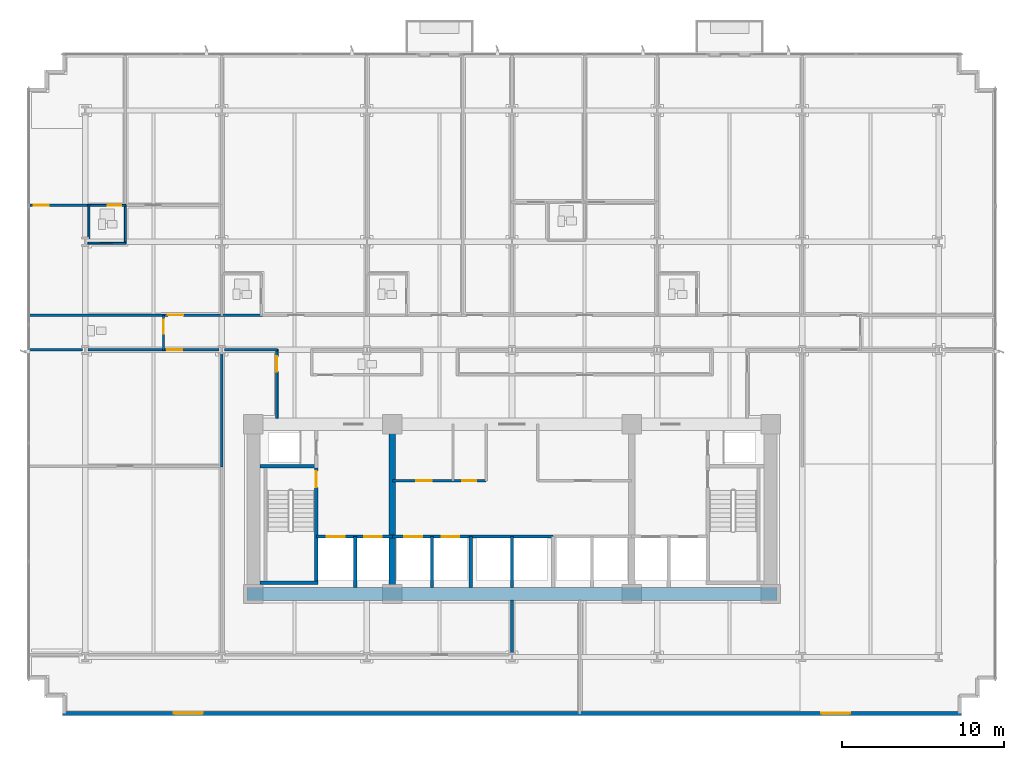
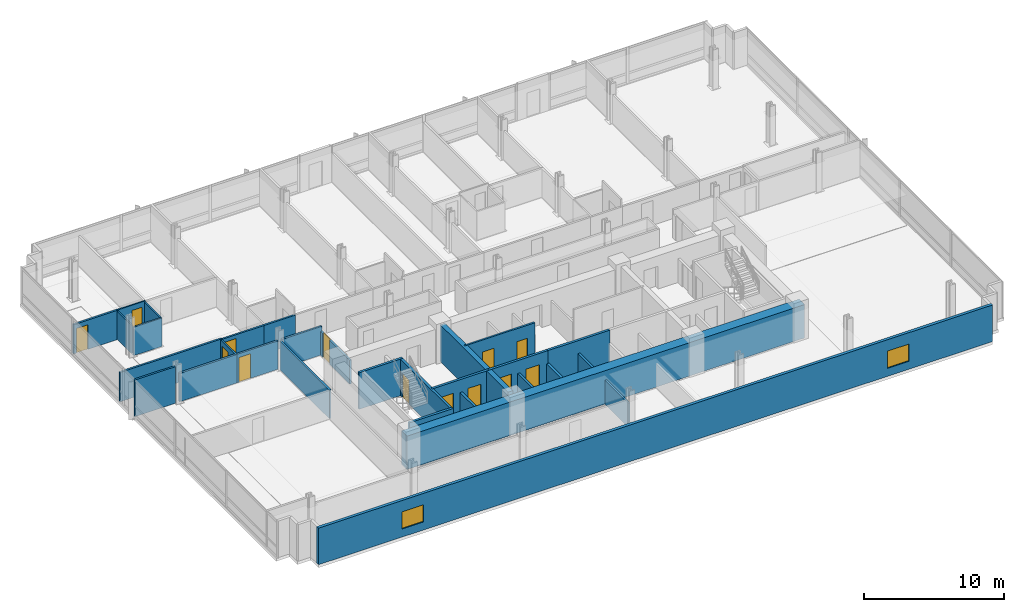
# One storey, part 8 of 16: 30 walls, 13 doors, 2 windows, 15 openings.
"""IFC4 building model written with IfcOpenShell, lengths in metres."""

from ifc_helpers import new_model, si_unit, direction, frame, frame_2d, origin, place, context, subcontext, project, spatial, rectangle, extrude, material, layer, layer_set, type_object, element, fill, save


model = new_model("IFC4")

# Units and contexts
model_context = context("Model", 3, precision=1e-05, world=origin(), true_north=direction((0.0, 1.0)))
body_context = subcontext(model_context, "Body", "Model", "MODEL_VIEW")
ifc_project = project(units=[si_unit("LENGTHUNIT", "METRE"), si_unit("AREAUNIT", "SQUARE_METRE"), si_unit("VOLUMEUNIT", "CUBIC_METRE"), si_unit("PLANEANGLEUNIT", "RADIAN"), si_unit("MASSUNIT", "GRAM", prefix="KILO")], contexts=[model_context])

# Site, building, storey
site_placement = place(None, origin())
site = spatial("IfcSite", under=ifc_project, at=site_placement, CompositionType="ELEMENT")
building_placement = place(site_placement, origin())
building = spatial("IfcBuilding", under=site, at=building_placement, Name="Solmavex Isthmus Hotel", CompositionType="ELEMENT")
storey_placement = place(building_placement, frame((0.0, 0.0, 29.85009765625)))
storey = spatial("IfcBuildingStorey", under=building, at=storey_placement, Name="L07", CompositionType="ELEMENT", Elevation=29.85009765625)

# Wall, openings, windows
ifc_material_1 = material(Name="Precast Concrete C40/50", Category="concrete")
ifc_layer_1 = layer(ifc_material_1, 0.25)
ifc_layer_set_1 = layer_set([ifc_layer_1], Name="Precast Concrete C40/50")
wall_type_1 = type_object("IfcWallType", Name="EW-TWR-250", PredefinedType="STANDARD", material=ifc_layer_set_1)
wall_1_placement = place(storey_placement, frame((-27.800048828125, -20.3798828125, 0.0), z_axis=(0.0, 0.0, 1.0), x_axis=(1.0, 0.0, 0.0)))
wall_1 = element("IfcWall", 1, at=wall_1_placement, inside=storey, type_object=wall_type_1, Name="Tower Rear South Facade Wall L07", PredefinedType="STANDARD", context=body_context, shape_type="SweptSolid", body=[
    extrude(rectangle(XDim=55.60009765625, YDim=0.239990234375, at=frame_2d((27.800048828125, 0.0))), origin(), (0.0, 0.0, 1.0), 3.18994140625),
])
opening_1_placement = place(wall_1_placement, frame((6.884033203125, 0.0, 0.699951171875)))
opening_1 = element("IfcOpeningElement", 2, at=opening_1_placement, cuts=wall_1, Name="Opening WN-02", PredefinedType="OPENING", context=body_context, shape_type="SweptSolid", body=[
    extrude(rectangle(XDim=1.800048828125, YDim=1.5, at=frame_2d((0.89990234375, 0.75))), frame((0.0, 0.1298828125, 0.0), z_axis=(0.0, -1.0, 0.0), x_axis=(1.0, 0.0, 0.0)), (0.0, 0.0, 1.0), 0.260009765625),
])
opening_2_placement = place(wall_1_placement, frame((46.916015625, 0.0, 0.699951171875)))
opening_2 = element("IfcOpeningElement", 3, at=opening_2_placement, cuts=wall_1, Name="Opening WN-02", PredefinedType="OPENING", context=body_context, shape_type="SweptSolid", body=[
    extrude(rectangle(XDim=1.800048828125, YDim=1.5, at=frame_2d((0.89990234375, 0.75))), frame((0.0, 0.1298828125, 0.0), z_axis=(0.0, -1.0, 0.0), x_axis=(1.0, 0.0, 0.0)), (0.0, 0.0, 1.0), 0.260009765625),
])
ifc_material_2 = material(Name="Clear low-E laminated glass", Category="glass")
window_type = type_object("IfcWindowType", Name="WIN-TWR-1800", PartitioningType="SINGLE_PANEL", PredefinedType="WINDOW", material=ifc_material_2)
window_1_placement = place(opening_1_placement, origin())
window_1 = element("IfcWindow", 4, at=window_1_placement, inside=storey, type_object=window_type, Name="South Facade Vision Window L07-S1", OverallHeight=1.5, OverallWidth=1.800048828125, PartitioningType="SINGLE_PANEL", PredefinedType="WINDOW", context=body_context, shape_type="SweptSolid", body=[
    extrude(rectangle(XDim=1.800048828125, YDim=1.5, at=frame_2d((0.89990234375, 0.75))), frame((0.0, 0.030029296875, 0.0), z_axis=(0.0, -1.0, 0.0), x_axis=(1.0, 0.0, 0.0)), (0.0, 0.0, 1.0), 0.06005859375),
])
fill(opening_1, window_1)
window_2_placement = place(opening_2_placement, origin())
window_2 = element("IfcWindow", 5, at=window_2_placement, inside=storey, type_object=window_type, Name="South Facade Vision Window L07-S2", OverallHeight=1.5, OverallWidth=1.800048828125, PartitioningType="SINGLE_PANEL", PredefinedType="WINDOW", context=body_context, shape_type="SweptSolid", body=[
    extrude(rectangle(XDim=1.800048828125, YDim=1.5, at=frame_2d((0.89990234375, 0.75))), frame((0.0, 0.030029296875, 0.0), z_axis=(0.0, -1.0, 0.0), x_axis=(1.0, 0.0, 0.0)), (0.0, 0.0, 1.0), 0.06005859375),
])
fill(opening_2, window_2)

# Wall, opening, door
ifc_material_3 = material(Name="Gypsum plasterboard lining", Category="gypsum")
ifc_layer_2 = layer(ifc_material_3, 0.159912109375)
ifc_layer_set_2 = layer_set([ifc_layer_2], Name="Gypsum plasterboard lining")
wall_type_2 = type_object("IfcWallType", Name="IW-COMP-160", PredefinedType="PARTITIONING", material=ifc_layer_set_2)
wall_2_placement = place(storey_placement, frame((-29.800048828125, 11.0380859375, 0.0), z_axis=(0.0, 0.0, 1.0), x_axis=(1.0, 0.0, 0.0)))
wall_2 = element("IfcWall", 6, at=wall_2_placement, inside=storey, type_object=wall_type_2, Name="Interior Partition Wall W-L07-P033", PredefinedType="PARTITIONING", context=body_context, shape_type="SweptSolid", body=[
    extrude(rectangle(XDim=3.674072265625, YDim=0.159912109375, at=frame_2d((1.8369140625, 0.0))), origin(), (0.0, 0.0, 1.0), 2.55322265625),
])
opening_3_placement = place(wall_2_placement, frame((0.2099609375, 0.0, 0.0)))
opening_3 = element("IfcOpeningElement", 7, at=opening_3_placement, cuts=wall_2, Name="Opening ID-C095", PredefinedType="OPENING", context=body_context, shape_type="SweptSolid", body=[
    extrude(rectangle(XDim=0.949951171875, YDim=2.14990234375, at=frame_2d((0.47509765625, 1.074951171875))), frame((0.0, 0.08984375, 0.0), z_axis=(0.0, -1.0, 0.0), x_axis=(1.0, 0.0, 0.0)), (0.0, 0.0, 1.0), 0.179931640625),
])
ifc_material_4 = material(Name="Hardwood timber", Category="wood")
door_type_1 = type_object("IfcDoorType", Name="IDR-FD60-0950", OperationType="NOTDEFINED", PredefinedType="DOOR", material=ifc_material_4)
door_1_placement = place(opening_3_placement, origin())
door_1 = element("IfcDoor", 8, at=door_1_placement, inside=storey, type_object=door_type_1, Name="Ambassador Panorama Suite Master Bedroom Door L07-02", OperationType="SINGLE_SWING_RIGHT", OverallHeight=2.14990234375, OverallWidth=0.949951171875, PredefinedType="DOOR", context=body_context, shape_type="SweptSolid", body=[
    extrude(rectangle(XDim=0.949951171875, YDim=2.14990234375, at=frame_2d((0.47509765625, 1.074951171875))), frame((0.0, 0.02490234375, 0.0), z_axis=(0.0, -1.0, 0.0), x_axis=(1.0, 0.0, 0.0)), (0.0, 0.0, 1.0), 0.050048828125),
])
fill(opening_3, door_1)

# Walls
wall_3_placement = place(storey_placement, frame((-21.511962890625, 4.22998046875, 0.0), z_axis=(0.0, 0.0, 1.0), x_axis=(-1.0, 0.0, 0.0)))
element("IfcWall", 9, at=wall_3_placement, inside=storey, type_object=wall_type_2, Name="Interior Partition Wall W-L07-P041", PredefinedType="PARTITIONING", context=body_context, shape_type="SweptSolid", body=[
    extrude(rectangle(XDim=8.407958984375, YDim=0.159912109375, at=frame_2d((4.2041015625, 0.0))), origin(), (0.0, 0.0, 1.0), 2.55322265625),
])
wall_4_placement = place(storey_placement, frame((-26.574951171875, 2.10009765625, 0.0), z_axis=(0.0, 0.0, 1.0), x_axis=(-1.0, 0.0, 0.0)))
element("IfcWall", 10, at=wall_4_placement, inside=storey, type_object=wall_type_2, Name="Interior Partition Wall W-L07-P077", PredefinedType="PARTITIONING", context=body_context, shape_type="SweptSolid", body=[
    extrude(rectangle(XDim=3.344970703125, YDim=0.159912109375, at=frame_2d((1.67236328125, 0.0))), origin(), (0.0, 0.0, 1.0), 3.18994140625),
])
wall_5_placement = place(storey_placement, frame((-21.511962890625, 2.10009765625, 0.0), z_axis=(0.0, 0.0, 1.0), x_axis=(-1.0, 0.0, 0.0)))
element("IfcWall", 11, at=wall_5_placement, inside=storey, type_object=wall_type_2, Name="Interior Partition Wall W-L07-P078", PredefinedType="PARTITIONING", context=body_context, shape_type="SweptSolid", body=[
    extrude(rectangle(XDim=4.713134765625, YDim=0.159912109375, at=frame_2d((2.3564453125, 0.0))), origin(), (0.0, 0.0, 1.0), 2.4794921875),
])
wall_6_placement = place(storey_placement, frame((-17.951904296875, 1.925048828125, 0.0), z_axis=(0.0, 0.0, 1.0), x_axis=(0.0, -1.0, 0.0)))
element("IfcWall", 12, at=wall_6_placement, inside=storey, type_object=wall_type_2, Name="Interior Partition Wall W-L07-P081", PredefinedType="PARTITIONING", context=body_context, shape_type="SweptSolid", body=[
    extrude(rectangle(XDim=7.06494140625, YDim=0.159912109375, at=frame_2d((3.532470703125, 0.0))), origin(), (0.0, 0.0, 1.0), 2.4794921875),
])
wall_7_placement = place(storey_placement, frame((0.0, -13.360107421875, 0.0), z_axis=(0.0, 0.0, 1.0), x_axis=(0.0, -1.0, 0.0)))
element("IfcWall", 13, at=wall_7_placement, inside=storey, type_object=wall_type_2, Name="Interior Partition Wall W-L07-P086", PredefinedType="PARTITIONING", context=body_context, shape_type="SweptSolid", body=[
    extrude(rectangle(XDim=3.364990234375, YDim=0.159912109375, at=frame_2d((1.6826171875, 0.0))), origin(), (0.0, 0.0, 1.0), 2.074951171875),
])

# Wall, openings, doors
ifc_layer_3 = layer(ifc_material_3, 0.14990234375)
ifc_layer_set_3 = layer_set([ifc_layer_3], Name="Gypsum plasterboard lining")
wall_type_3 = type_object("IfcWallType", Name="IW-CORR-150", PredefinedType="PARTITIONING", material=ifc_layer_set_3)
wall_8_placement = place(storey_placement, frame((-7.39990234375, -6.0, 0.0), z_axis=(0.0, 0.0, 1.0), x_axis=(1.0, 0.0, 0.0)))
wall_8 = element("IfcWall", 14, at=wall_8_placement, inside=storey, type_object=wall_type_3, Name="Interior Partition Wall W-L07-BOH-WS", PredefinedType="PARTITIONING", context=body_context, shape_type="SweptSolid", body=[
    extrude(rectangle(XDim=5.7998046875, YDim=0.14990234375, at=frame_2d((2.89990234375, 0.0))), origin(), (0.0, 0.0, 1.0), 3.18994140625),
])
opening_4_placement = place(wall_8_placement, frame((1.47509765625, 0.0, 0.0)))
opening_4 = element("IfcOpeningElement", 15, at=opening_4_placement, cuts=wall_8, Name="Opening ID-C095", PredefinedType="OPENING", context=body_context, shape_type="SweptSolid", body=[
    extrude(rectangle(XDim=0.949951171875, YDim=2.14990234375, at=frame_2d((0.47509765625, 1.074951171875))), frame((0.0, 0.0849609375, 0.0), z_axis=(0.0, -1.0, 0.0), x_axis=(1.0, 0.0, 0.0)), (0.0, 0.0, 1.0), 0.169921875),
])
opening_5_placement = place(wall_8_placement, frame((4.324951171875, 0.0, 0.0)))
opening_5 = element("IfcOpeningElement", 16, at=opening_5_placement, cuts=wall_8, Name="Opening ID-R085", PredefinedType="OPENING", context=body_context, shape_type="SweptSolid", body=[
    extrude(rectangle(XDim=0.85009765625, YDim=2.050048828125, at=frame_2d((0.425048828125, 1.02490234375))), frame((0.0, 0.0849609375, 0.0), z_axis=(0.0, -1.0, 0.0), x_axis=(1.0, 0.0, 0.0)), (0.0, 0.0, 1.0), 0.169921875),
])
ifc_material_5 = material(Name="Steel ASTM A500 Grade C", Category="steel")
door_type_2 = type_object("IfcDoorType", Name="IDR-FD60-0850", OperationType="NOTDEFINED", PredefinedType="DOOR", material=ifc_material_5)
door_2_placement = place(opening_5_placement, frame((0.85009765625, 0.0, 0.0), z_axis=(0.0, 0.0, 1.0), x_axis=(-1.0, 0.0, 0.0)))
door_2 = element("IfcDoor", 17, at=door_2_placement, inside=storey, type_object=door_type_2, Name="Cleaner Closet Door L07", OperationType="SINGLE_SWING_RIGHT", OverallHeight=2.050048828125, OverallWidth=0.85009765625, PredefinedType="DOOR", context=body_context, shape_type="SweptSolid", body=[
    extrude(rectangle(XDim=0.85009765625, YDim=2.050048828125, at=frame_2d((0.425048828125, 1.02490234375))), frame((0.0, 0.02490234375, 0.0), z_axis=(0.0, -1.0, 0.0), x_axis=(1.0, 0.0, 0.0)), (0.0, 0.0, 1.0), 0.050048828125),
])
fill(opening_5, door_2)
door_3_placement = place(opening_4_placement, frame((0.949951171875, 0.0, 0.0), z_axis=(0.0, 0.0, 1.0), x_axis=(-1.0, 0.0, 0.0)))
door_3 = element("IfcDoor", 18, at=door_3_placement, inside=storey, type_object=door_type_1, Name="Housekeeping Store Door L07", OperationType="SINGLE_SWING_LEFT", OverallHeight=2.14990234375, OverallWidth=0.949951171875, PredefinedType="DOOR", context=body_context, shape_type="SweptSolid", body=[
    extrude(rectangle(XDim=0.949951171875, YDim=2.14990234375, at=frame_2d((0.47509765625, 1.074951171875))), frame((0.0, 0.02490234375, 0.0), z_axis=(0.0, -1.0, 0.0), x_axis=(1.0, 0.0, 0.0)), (0.0, 0.0, 1.0), 0.050048828125),
])
fill(opening_4, door_3)

# Wall, opening, door
wall_9_placement = place(storey_placement, frame((-21.592041015625, 4.25, 0.0), z_axis=(0.0, 0.0, 1.0), x_axis=(1.0, 0.0, 0.0)))
wall_9 = element("IfcWall", 19, at=wall_9_placement, inside=storey, type_object=wall_type_3, Name="Interior Partition Wall W-L07-P001", PredefinedType="PARTITIONING", context=body_context, shape_type="SweptSolid", body=[
    extrude(rectangle(XDim=3.721923828125, YDim=0.14990234375, at=frame_2d((1.86083984375, 0.0))), origin(), (0.0, 0.0, 1.0), 2.4794921875),
])
opening_6_placement = place(wall_9_placement, frame((0.315185546875, 0.0, 0.0)))
opening_6 = element("IfcOpeningElement", 20, at=opening_6_placement, cuts=wall_9, Name="Opening ID-C095", PredefinedType="OPENING", context=body_context, shape_type="SweptSolid", body=[
    extrude(rectangle(XDim=0.949951171875, YDim=2.14990234375, at=frame_2d((0.47509765625, 1.074951171875))), frame((0.0, 0.0849609375, 0.0), z_axis=(0.0, -1.0, 0.0), x_axis=(1.0, 0.0, 0.0)), (0.0, 0.0, 1.0), 0.169921875),
])
door_4_placement = place(opening_6_placement, origin())
door_4 = element("IfcDoor", 21, at=door_4_placement, inside=storey, type_object=door_type_1, Name="Ambassador Panorama Suite Living Salon Door L07-01", OperationType="SINGLE_SWING_LEFT", OverallHeight=2.14990234375, OverallWidth=0.949951171875, PredefinedType="DOOR", context=body_context, shape_type="SweptSolid", body=[
    extrude(rectangle(XDim=0.949951171875, YDim=2.14990234375, at=frame_2d((0.47509765625, 1.074951171875))), frame((0.0, 0.02490234375, 0.0), z_axis=(0.0, -1.0, 0.0), x_axis=(1.0, 0.0, 0.0)), (0.0, 0.0, 1.0), 0.050048828125),
])
fill(opening_6, door_4)

# Wall
wall_10_placement = place(storey_placement, frame((-18.033935546875, 4.25, 0.0), z_axis=(0.0, 0.0, 1.0), x_axis=(1.0, 0.0, 0.0)))
element("IfcWall", 22, at=wall_10_placement, inside=storey, type_object=wall_type_3, Name="Interior Partition Wall W-L07-P003", PredefinedType="PARTITIONING", context=body_context, shape_type="SweptSolid", body=[
    extrude(rectangle(XDim=2.614013671875, YDim=0.14990234375, at=frame_2d((1.30712890625, 0.0))), origin(), (0.0, 0.0, 1.0), 2.4794921875),
])

# Wall, opening, door
wall_11_placement = place(storey_placement, frame((-21.552001953125, 2.06005859375, 0.0), z_axis=(0.0, 0.0, 1.0), x_axis=(0.0, 1.0, 0.0)))
wall_11 = element("IfcWall", 23, at=wall_11_placement, inside=storey, type_object=wall_type_3, Name="Interior Partition Wall W-L07-P017", PredefinedType="PARTITIONING", context=body_context, shape_type="SweptSolid", body=[
    extrude(rectangle(XDim=2.2099609375, YDim=0.14990234375, at=frame_2d((1.10498046875, 0.0))), origin(), (0.0, 0.0, 1.0), 2.4794921875),
])
opening_7_placement = place(wall_11_placement, frame((1.037841796875, 0.0, 0.0)))
opening_7 = element("IfcOpeningElement", 24, at=opening_7_placement, cuts=wall_11, Name="Opening ID-R085", PredefinedType="OPENING", context=body_context, shape_type="SweptSolid", body=[
    extrude(rectangle(XDim=0.85009765625, YDim=2.050048828125, at=frame_2d((0.425048828125, 1.02490234375))), frame((0.0, 0.0849609375, 0.0), z_axis=(0.0, -1.0, 0.0), x_axis=(1.0, 0.0, 0.0)), (0.0, 0.0, 1.0), 0.169921875),
])
door_5_placement = place(opening_7_placement, origin())
door_5 = element("IfcDoor", 25, at=door_5_placement, inside=storey, type_object=door_type_2, Name="Public Restroom WC Door L07-18", OperationType="SINGLE_SWING_RIGHT", OverallHeight=2.050048828125, OverallWidth=0.85009765625, PredefinedType="DOOR", context=body_context, shape_type="SweptSolid", body=[
    extrude(rectangle(XDim=0.85009765625, YDim=2.050048828125, at=frame_2d((0.425048828125, 1.02490234375))), frame((0.0, 0.02490234375, 0.0), z_axis=(0.0, -1.0, 0.0), x_axis=(1.0, 0.0, 0.0)), (0.0, 0.0, 1.0), 0.050048828125),
])
fill(opening_7, door_5)

wall_12_placement = place(storey_placement, frame((-18.126953125, 2.10009765625, 0.0), z_axis=(0.0, 0.0, 1.0), x_axis=(-1.0, 0.0, 0.0)))
wall_12 = element("IfcWall", 26, at=wall_12_placement, inside=storey, type_object=wall_type_3, Name="Interior Partition Wall W-L07-P027", PredefinedType="PARTITIONING", context=body_context, shape_type="SweptSolid", body=[
    extrude(rectangle(XDim=3.465087890625, YDim=0.14990234375, at=frame_2d((1.732421875, 0.0))), origin(), (0.0, 0.0, 1.0), 2.4794921875),
])
opening_8_placement = place(wall_12_placement, frame((2.252685546875, 0.0, 0.0)))
opening_8 = element("IfcOpeningElement", 27, at=opening_8_placement, cuts=wall_12, Name="Opening ID-C095", PredefinedType="OPENING", context=body_context, shape_type="SweptSolid", body=[
    extrude(rectangle(XDim=0.949951171875, YDim=2.14990234375, at=frame_2d((0.47509765625, 1.074951171875))), frame((0.0, 0.0849609375, 0.0), z_axis=(0.0, -1.0, 0.0), x_axis=(1.0, 0.0, 0.0)), (0.0, 0.0, 1.0), 0.169921875),
])
door_6_placement = place(opening_8_placement, origin())
door_6 = element("IfcDoor", 28, at=door_6_placement, inside=storey, type_object=door_type_1, Name="Club Reading Library Door L07-21", OperationType="SINGLE_SWING_LEFT", OverallHeight=2.14990234375, OverallWidth=0.949951171875, PredefinedType="DOOR", context=body_context, shape_type="SweptSolid", body=[
    extrude(rectangle(XDim=0.949951171875, YDim=2.14990234375, at=frame_2d((0.47509765625, 1.074951171875))), frame((0.0, 0.02490234375, 0.0), z_axis=(0.0, -1.0, 0.0), x_axis=(1.0, 0.0, 0.0)), (0.0, 0.0, 1.0), 0.050048828125),
])
fill(opening_8, door_6)

wall_13_placement = place(storey_placement, frame((-14.5439453125, -2.139892578125, 0.0), z_axis=(0.0, 0.0, 1.0), x_axis=(0.0, 1.0, 0.0)))
wall_13 = element("IfcWall", 29, at=wall_13_placement, inside=storey, type_object=wall_type_3, Name="Interior Partition Wall W-L07-P029", PredefinedType="PARTITIONING", context=body_context, shape_type="SweptSolid", body=[
    extrude(rectangle(XDim=4.27978515625, YDim=0.14990234375, at=frame_2d((2.139892578125, 0.0))), origin(), (0.0, 0.0, 1.0), 2.074951171875),
])
opening_9_placement = place(wall_13_placement, frame((2.89990234375, 0.0, 0.0)))
opening_9 = element("IfcOpeningElement", 30, at=opening_9_placement, cuts=wall_13, Name="Opening ID-C095", PredefinedType="OPENING", context=body_context, shape_type="SweptSolid", body=[
    extrude(rectangle(XDim=0.949951171875, YDim=2.14990234375, at=frame_2d((0.47509765625, 1.074951171875))), frame((0.0, 0.0849609375, 0.0), z_axis=(0.0, -1.0, 0.0), x_axis=(1.0, 0.0, 0.0)), (0.0, 0.0, 1.0), 0.169921875),
])
door_7_placement = place(opening_9_placement, frame((0.949951171875, 0.0, 0.0), z_axis=(0.0, 0.0, 1.0), x_axis=(-1.0, 0.0, 0.0)))
door_7 = element("IfcDoor", 31, at=door_7_placement, inside=storey, type_object=door_type_1, Name="Club Reading Library Door L07-23", OperationType="SINGLE_SWING_LEFT", OverallHeight=2.14990234375, OverallWidth=0.949951171875, PredefinedType="DOOR", context=body_context, shape_type="SweptSolid", body=[
    extrude(rectangle(XDim=0.949951171875, YDim=2.14990234375, at=frame_2d((0.47509765625, 1.074951171875))), frame((0.0, 0.02490234375, 0.0), z_axis=(0.0, -1.0, 0.0), x_axis=(1.0, 0.0, 0.0)), (0.0, 0.0, 1.0), 0.050048828125),
])
fill(opening_9, door_7)

# Walls
wall_14_placement = place(storey_placement, frame((-14.50390625, 2.10009765625, 0.0), z_axis=(0.0, 0.0, 1.0), x_axis=(-1.0, 0.0, 0.0)))
element("IfcWall", 32, at=wall_14_placement, inside=storey, type_object=wall_type_3, Name="Interior Partition Wall W-L07-P030", PredefinedType="PARTITIONING", context=body_context, shape_type="SweptSolid", body=[
    extrude(rectangle(XDim=3.273193359375, YDim=0.14990234375, at=frame_2d((1.63671875, 0.0))), origin(), (0.0, 0.0, 1.0), 2.4794921875),
])
ifc_layer_4 = layer(ifc_material_3, 0.1201171875)
ifc_layer_set_4 = layer_set([ifc_layer_4], Name="Gypsum plasterboard lining")
wall_type_4 = type_object("IfcWallType", Name="IW-PART-120", PredefinedType="PARTITIONING", material=ifc_layer_set_4)
wall_15_placement = place(storey_placement, frame((-26.166015625, 11.077880859375, 0.0), z_axis=(0.0, 0.0, 1.0), x_axis=(0.0, -1.0, 0.0)))
element("IfcWall", 33, at=wall_15_placement, inside=storey, type_object=wall_type_4, Name="Interior Partition Wall W-L07-P035", PredefinedType="PARTITIONING", context=body_context, shape_type="SweptSolid", body=[
    extrude(rectangle(XDim=2.114990234375, YDim=0.1201171875, at=frame_2d((1.0576171875, 0.0))), origin(), (0.0, 0.0, 1.0), 2.4794921875),
])
wall_16_placement = place(storey_placement, frame((-26.22509765625, 8.6982421875, 0.0), z_axis=(0.0, 0.0, 1.0), x_axis=(0.999990014503, -0.004468880755, 0.0)))
element("IfcWall", 34, at=wall_16_placement, inside=storey, type_object=wall_type_4, Name="Interior Partition Wall W-L07-P036", PredefinedType="PARTITIONING", context=body_context, shape_type="SweptSolid", body=[
    extrude(rectangle(XDim=2.34912109375, YDim=0.1201171875, at=frame_2d((1.174560546875, 0.0))), origin(), (0.0, 0.0, 1.0), 2.4794921875),
])
wall_17_placement = place(storey_placement, frame((-23.916015625, 8.64794921875, 0.0), z_axis=(0.0, 0.0, 1.0), x_axis=(0.0, 1.0, 0.0)))
element("IfcWall", 35, at=wall_17_placement, inside=storey, type_object=wall_type_4, Name="Interior Partition Wall W-L07-P037", PredefinedType="PARTITIONING", context=body_context, shape_type="SweptSolid", body=[
    extrude(rectangle(XDim=2.429931640625, YDim=0.1201171875, at=frame_2d((1.21484375, 0.0))), origin(), (0.0, 0.0, 1.0), 2.4794921875),
])

# Wall, opening, door
wall_18_placement = place(storey_placement, frame((-23.8759765625, 11.0380859375, 0.0), z_axis=(0.0, 0.0, 1.0), x_axis=(-1.0, 0.0, 0.0)))
wall_18 = element("IfcWall", 36, at=wall_18_placement, inside=storey, type_object=wall_type_4, Name="Interior Partition Wall W-L07-P043", PredefinedType="PARTITIONING", context=body_context, shape_type="SweptSolid", body=[
    extrude(rectangle(XDim=2.3720703125, YDim=0.1201171875, at=frame_2d((1.18603515625, 0.0))), origin(), (0.0, 0.0, 1.0), 2.55322265625),
])
opening_10_placement = place(wall_18_placement, frame((0.27978515625, 0.0, 0.0)))
opening_10 = element("IfcOpeningElement", 37, at=opening_10_placement, cuts=wall_18, Name="Opening ID-U085", PredefinedType="OPENING", context=body_context, shape_type="SweptSolid", body=[
    extrude(rectangle(XDim=0.85009765625, YDim=2.10009765625, at=frame_2d((0.425048828125, 1.050048828125))), frame((0.0, 0.070068359375, 0.0), z_axis=(0.0, -1.0, 0.0), x_axis=(1.0, 0.0, 0.0)), (0.0, 0.0, 1.0), 0.14013671875),
])
door_type_3 = type_object("IfcDoorType", Name="IDR-UNR-0850", OperationType="NOTDEFINED", PredefinedType="DOOR", material=ifc_material_4)
door_8_placement = place(opening_10_placement, frame((0.85009765625, 0.0, 0.0), z_axis=(0.0, 0.0, 1.0), x_axis=(-1.0, 0.0, 0.0)))
door_8 = element("IfcDoor", 38, at=door_8_placement, inside=storey, type_object=door_type_3, Name="En-suite Bathroom Door L07-04", OperationType="SINGLE_SWING_RIGHT", OverallHeight=2.10009765625, OverallWidth=0.85009765625, PredefinedType="DOOR", context=body_context, shape_type="SweptSolid", body=[
    extrude(rectangle(XDim=0.85009765625, YDim=2.10009765625, at=frame_2d((0.425048828125, 1.050048828125))), frame((0.0, 0.02490234375, 0.0), z_axis=(0.0, -1.0, 0.0), x_axis=(1.0, 0.0, 0.0)), (0.0, 0.0, 1.0), 0.050048828125),
])
fill(opening_10, door_8)

# Walls
ifc_material_6 = material(Name="Concrete C40/50", Category="concrete")
ifc_layer_5 = layer(ifc_material_6, 0.179931640625)
ifc_layer_set_5 = layer_set([ifc_layer_5], Name="Concrete C40/50")
wall_type_5 = type_object("IfcWallType", Name="IW-SHAFT-180", PredefinedType="PARTITIONING", material=ifc_layer_set_5)
for number, where, z_axis, x_axis, name in (
    (39, (-4.949951171875, -12.60009765625, 0.0), (0.0, 0.0, 1.0), (0.0, 1.0, 0.0), "Interior Partition Wall W-L07-SH-PLL-M"),
    (40, (0.0, -12.60009765625, 0.0), (0.0, 0.0, 1.0), (0.0, 1.0, 0.0), "Interior Partition Wall W-L07-SH-PLM-M"),
):
    element("IfcWall", number, at=place(storey_placement, frame(where, z_axis=z_axis, x_axis=x_axis)), inside=storey, type_object=wall_type_5, Name=name, PredefinedType="PARTITIONING", context=body_context, shape_type="SweptSolid", body=[
        extrude(rectangle(XDim=3.150146484375, YDim=0.179931640625, at=frame_2d((1.5751953125, 0.0))), origin(), (0.0, 0.0, 1.0), 2.074951171875),
    ])

# Wall, openings, doors
ifc_layer_6 = layer(ifc_material_6, 0.199951171875)
ifc_layer_set_6 = layer_set([ifc_layer_6], Name="Concrete C40/50")
wall_type_6 = type_object("IfcWallType", Name="IW-SHAFT-200", PredefinedType="PARTITIONING", material=ifc_layer_set_6)
wall_19_placement = place(storey_placement, frame((-12.10009765625, -9.449951171875, 0.0), z_axis=(0.0, 0.0, 1.0), x_axis=(1.0, 0.0, 0.0)))
wall_19 = element("IfcWall", 41, at=wall_19_placement, inside=storey, type_object=wall_type_6, Name="Interior Partition Wall W-L07-FFLW-S", PredefinedType="PARTITIONING", context=body_context, shape_type="SweptSolid", body=[
    extrude(rectangle(XDim=4.7001953125, YDim=0.199951171875, at=frame_2d((2.35009765625, 0.0))), origin(), (0.0, 0.0, 1.0), 3.18994140625),
])
opening_11_placement = place(wall_19_placement, frame((0.64990234375, 0.0, 0.0)))
opening_11 = element("IfcOpeningElement", 42, at=opening_11_placement, cuts=wall_19, Name="Opening LD-FF", PredefinedType="OPENING", context=body_context, shape_type="SweptSolid", body=[
    extrude(rectangle(XDim=1.10009765625, YDim=2.199951171875, at=frame_2d((0.550048828125, 1.10009765625))), frame((0.0, 0.10986328125, 0.0), z_axis=(0.0, -1.0, 0.0), x_axis=(1.0, 0.0, 0.0)), (0.0, 0.0, 1.0), 0.219970703125),
])
opening_12_placement = place(wall_19_placement, frame((2.949951171875, 0.0, 0.0)))
opening_12 = element("IfcOpeningElement", 43, at=opening_12_placement, cuts=wall_19, Name="Opening LD-SV", PredefinedType="OPENING", context=body_context, shape_type="SweptSolid", body=[
    extrude(rectangle(XDim=1.10009765625, YDim=2.199951171875, at=frame_2d((0.550048828125, 1.10009765625))), frame((0.0, 0.10986328125, 0.0), z_axis=(0.0, -1.0, 0.0), x_axis=(1.0, 0.0, 0.0)), (0.0, 0.0, 1.0), 0.219970703125),
])
ifc_material_7 = material(Name="Stainless steel 316", Category="steel")
door_type_4 = type_object("IfcDoorType", Name="LDR-FF-1100", OperationType="NOTDEFINED", PredefinedType="DOOR", material=ifc_material_7)
door_9_placement = place(opening_11_placement, origin())
door_9 = element("IfcDoor", 44, at=door_9_placement, inside=storey, type_object=door_type_4, Name="Lift Landing Door FFL-1 L07", OperationType="SLIDING_TO_LEFT", OverallHeight=2.199951171875, OverallWidth=1.10009765625, PredefinedType="DOOR", context=body_context, shape_type="SweptSolid", body=[
    extrude(rectangle(XDim=1.10009765625, YDim=2.199951171875, at=frame_2d((0.550048828125, 1.10009765625))), frame((0.0, 0.02490234375, 0.0), z_axis=(0.0, -1.0, 0.0), x_axis=(1.0, 0.0, 0.0)), (0.0, 0.0, 1.0), 0.050048828125),
])
fill(opening_11, door_9)
door_type_5 = type_object("IfcDoorType", Name="LDR-SV-1100", OperationType="NOTDEFINED", PredefinedType="DOOR", material=ifc_material_7)
door_10_placement = place(opening_12_placement, origin())
door_10 = element("IfcDoor", 45, at=door_10_placement, inside=storey, type_object=door_type_5, Name="Lift Landing Door SVL-1 L07", OperationType="SLIDING_TO_RIGHT", OverallHeight=2.199951171875, OverallWidth=1.10009765625, PredefinedType="DOOR", context=body_context, shape_type="SweptSolid", body=[
    extrude(rectangle(XDim=1.10009765625, YDim=2.199951171875, at=frame_2d((0.550048828125, 1.10009765625))), frame((0.0, 0.02490234375, 0.0), z_axis=(0.0, -1.0, 0.0), x_axis=(1.0, 0.0, 0.0)), (0.0, 0.0, 1.0), 0.050048828125),
])
fill(opening_12, door_10)

# Wall
wall_20_placement = place(storey_placement, frame((-9.699951171875, -12.60009765625, 0.0), z_axis=(0.0, 0.0, 1.0), x_axis=(0.0, 1.0, 0.0)))
element("IfcWall", 46, at=wall_20_placement, inside=storey, type_object=wall_type_6, Name="Interior Partition Wall W-L07-FFLW-M", PredefinedType="PARTITIONING", context=body_context, shape_type="SweptSolid", body=[
    extrude(rectangle(XDim=3.150146484375, YDim=0.199951171875, at=frame_2d((1.5751953125, 0.0))), origin(), (0.0, 0.0, 1.0), 2.074951171875),
])

# Wall, openings, doors
wall_21_placement = place(storey_placement, frame((-7.39990234375, -9.449951171875, 0.0), z_axis=(0.0, 0.0, 1.0), x_axis=(1.0, 0.0, 0.0)))
wall_21 = element("IfcWall", 47, at=wall_21_placement, inside=storey, type_object=wall_type_6, Name="Interior Partition Wall W-L07-SH-PLL", PredefinedType="PARTITIONING", context=body_context, shape_type="SweptSolid", body=[
    extrude(rectangle(XDim=4.849853515625, YDim=0.199951171875, at=frame_2d((2.4248046875, 0.0))), origin(), (0.0, 0.0, 1.0), 3.18994140625),
])
opening_13_placement = place(wall_21_placement, frame((0.75, 0.0, 0.0)))
opening_13 = element("IfcOpeningElement", 48, at=opening_13_placement, cuts=wall_21, Name="Opening LD-PL", PredefinedType="OPENING", context=body_context, shape_type="SweptSolid", body=[
    extrude(rectangle(XDim=1.10009765625, YDim=2.199951171875, at=frame_2d((0.550048828125, 1.10009765625))), frame((0.0, 0.10986328125, 0.0), z_axis=(0.0, -1.0, 0.0), x_axis=(1.0, 0.0, 0.0)), (0.0, 0.0, 1.0), 0.219970703125),
])
opening_14_placement = place(wall_21_placement, frame((3.050048828125, 0.0, 0.0)))
opening_14 = element("IfcOpeningElement", 49, at=opening_14_placement, cuts=wall_21, Name="Opening LD-PL", PredefinedType="OPENING", context=body_context, shape_type="SweptSolid", body=[
    extrude(rectangle(XDim=1.10009765625, YDim=2.199951171875, at=frame_2d((0.550048828125, 1.10009765625))), frame((0.0, 0.10986328125, 0.0), z_axis=(0.0, -1.0, 0.0), x_axis=(1.0, 0.0, 0.0)), (0.0, 0.0, 1.0), 0.219970703125),
])
door_type_6 = type_object("IfcDoorType", Name="LDR-PL-1100", OperationType="NOTDEFINED", PredefinedType="DOOR", material=ifc_material_7)
door_11_placement = place(opening_13_placement, origin())
door_11 = element("IfcDoor", 50, at=door_11_placement, inside=storey, type_object=door_type_6, Name="Lift Landing Door PLL1 L07", OperationType="SLIDING_TO_LEFT", OverallHeight=2.199951171875, OverallWidth=1.10009765625, PredefinedType="DOOR", context=body_context, shape_type="SweptSolid", body=[
    extrude(rectangle(XDim=1.10009765625, YDim=2.199951171875, at=frame_2d((0.550048828125, 1.10009765625))), frame((0.0, 0.02490234375, 0.0), z_axis=(0.0, -1.0, 0.0), x_axis=(1.0, 0.0, 0.0)), (0.0, 0.0, 1.0), 0.050048828125),
])
fill(opening_13, door_11)
door_12_placement = place(opening_14_placement, origin())
door_12 = element("IfcDoor", 51, at=door_12_placement, inside=storey, type_object=door_type_6, Name="Lift Landing Door PLL2 L07", OperationType="SLIDING_TO_LEFT", OverallHeight=2.199951171875, OverallWidth=1.10009765625, PredefinedType="DOOR", context=body_context, shape_type="SweptSolid", body=[
    extrude(rectangle(XDim=1.10009765625, YDim=2.199951171875, at=frame_2d((0.550048828125, 1.10009765625))), frame((0.0, 0.02490234375, 0.0), z_axis=(0.0, -1.0, 0.0), x_axis=(1.0, 0.0, 0.0)), (0.0, 0.0, 1.0), 0.050048828125),
])
fill(opening_14, door_12)

# Walls
wall_22_placement = place(storey_placement, frame((-2.550048828125, -12.60009765625, 0.0), z_axis=(0.0, 0.0, 1.0), x_axis=(0.0, 1.0, 0.0)))
element("IfcWall", 52, at=wall_22_placement, inside=storey, type_object=wall_type_6, Name="Interior Partition Wall W-L07-SH-PLL-E", PredefinedType="PARTITIONING", context=body_context, shape_type="SweptSolid", body=[
    extrude(rectangle(XDim=3.150146484375, YDim=0.199951171875, at=frame_2d((1.5751953125, 0.0))), origin(), (0.0, 0.0, 1.0), 2.074951171875),
])
wall_23_placement = place(storey_placement, frame((-2.550048828125, -9.449951171875, 0.0), z_axis=(0.0, 0.0, 1.0), x_axis=(1.0, 0.0, 0.0)))
element("IfcWall", 53, at=wall_23_placement, inside=storey, type_object=wall_type_6, Name="Interior Partition Wall W-L07-SH-PLM", PredefinedType="PARTITIONING", context=body_context, shape_type="SweptSolid", body=[
    extrude(rectangle(XDim=5.10009765625, YDim=0.199951171875, at=frame_2d((2.550048828125, 0.0))), origin(), (0.0, 0.0, 1.0), 3.18994140625),
])
ifc_material_8 = material(Name="Concrete C70/85", Category="concrete")
ifc_layer_7 = layer(ifc_material_8, 0.39990234375)
ifc_layer_set_7 = layer_set([ifc_layer_7], Name="Concrete C70/85")
wall_type_7 = type_object("IfcWallType", Name="WALL-CW-400L", PredefinedType="SHEAR", material=ifc_layer_set_7)
wall_24_placement = place(storey_placement, frame((-7.39990234375, -12.60009765625, 0.0), z_axis=(0.0, 0.0, 1.0), x_axis=(0.0, 1.0, 0.0)))
element("IfcWall", 54, at=wall_24_placement, inside=storey, type_object=wall_type_7, Name="Core Cross Shear Wall C1 L07", PredefinedType="SHEAR", context=body_context, shape_type="SweptSolid", body=[
    extrude(rectangle(XDim=9.7001953125, YDim=0.39990234375, at=frame_2d((4.85009765625, 0.0))), origin(), (0.0, 0.0, 1.0), 3.18994140625),
])
ifc_layer_8 = layer(ifc_material_8, 0.800048828125)
ifc_layer_set_8 = layer_set([ifc_layer_8], Name="Concrete C70/85")
wall_type_8 = type_object("IfcWallType", Name="WALL-CW-800", PredefinedType="SHEAR", material=ifc_layer_set_8)
wall_25_placement = place(storey_placement, frame((-16.39990234375, -13.0, 0.0), z_axis=(0.0, 0.0, 1.0), x_axis=(1.0, 0.0, 0.0)))
element("IfcWall", 55, at=wall_25_placement, inside=storey, type_object=wall_type_8, Name="Core Shear Wall South L07", PredefinedType="SHEAR", context=body_context, shape_type="SweptSolid", body=[
    extrude(rectangle(XDim=32.7998046875, YDim=0.800048828125, at=frame_2d((16.39990234375, 0.0))), origin(), (0.0, 0.0, 1.0), 2.909912109375),
])
ifc_layer_9 = layer(ifc_material_6, 0.199951171875)
ifc_layer_set_9 = layer_set([ifc_layer_9], Name="Concrete C40/50")
wall_type_9 = type_object("IfcWallType", Name="WALL-SW-200", PredefinedType="SOLIDWALL", material=ifc_layer_set_9)
for number, where, z_axis, x_axis, name in (
    (56, (-15.60009765625, -12.300048828125, 0.0), (0.0, 0.0, 1.0), (1.0, 0.0, 0.0), "Stairwell Structural Wall SW-L07-ST1-S"),
    (57, (-15.60009765625, -5.10009765625, 0.0), (0.0, 0.0, 1.0), (1.0, 0.0, 0.0), "Stairwell Structural Wall SW-L07-ST1-N"),
):
    element("IfcWall", number, at=place(storey_placement, frame(where, z_axis=z_axis, x_axis=x_axis)), inside=storey, type_object=wall_type_9, Name=name, PredefinedType="SOLIDWALL", context=body_context, shape_type="SweptSolid", body=[
        extrude(rectangle(XDim=3.60009765625, YDim=0.199951171875, at=frame_2d((1.800048828125, 0.0))), origin(), (0.0, 0.0, 1.0), 3.18994140625),
    ])

# Wall, opening, door
wall_26_placement = place(storey_placement, frame((-12.10009765625, -12.199951171875, 0.0), z_axis=(0.0, 0.0, 1.0), x_axis=(0.0, 1.0, 0.0)))
wall_26 = element("IfcWall", 58, at=wall_26_placement, inside=storey, type_object=wall_type_9, Name="Stairwell Structural Wall SW-L07-ST1-E", PredefinedType="SOLIDWALL", context=body_context, shape_type="SweptSolid", body=[
    extrude(rectangle(XDim=7.0, YDim=0.199951171875, at=frame_2d((3.5, 0.0))), origin(), (0.0, 0.0, 1.0), 3.18994140625),
])
opening_15_placement = place(wall_26_placement, frame((5.800048828125, 0.0, 0.0)))
opening_15 = element("IfcOpeningElement", 59, at=opening_15_placement, cuts=wall_26, Name="Opening ID-F100", PredefinedType="OPENING", context=body_context, shape_type="SweptSolid", body=[
    extrude(rectangle(XDim=1.0, YDim=2.10009765625, at=frame_2d((0.5, 1.050048828125))), frame((0.0, 0.10986328125, 0.0), z_axis=(0.0, -1.0, 0.0), x_axis=(1.0, 0.0, 0.0)), (0.0, 0.0, 1.0), 0.219970703125),
])
door_type_7 = type_object("IfcDoorType", Name="IDR-FD90-1000", OperationType="NOTDEFINED", PredefinedType="DOOR", material=ifc_material_5)
door_13_placement = place(opening_15_placement, frame((1.0, 0.0, 0.0), z_axis=(0.0, 0.0, 1.0), x_axis=(-1.0, 0.0, 0.0)))
door_13 = element("IfcDoor", 60, at=door_13_placement, inside=storey, type_object=door_type_7, Name="Stair ST-1 Fire Door L07", OperationType="SINGLE_SWING_LEFT", OverallHeight=2.10009765625, OverallWidth=1.0, PredefinedType="DOOR", context=body_context, shape_type="SweptSolid", body=[
    extrude(rectangle(XDim=1.0, YDim=2.10009765625, at=frame_2d((0.5, 1.050048828125))), frame((0.0, 0.02490234375, 0.0), z_axis=(0.0, -1.0, 0.0), x_axis=(1.0, 0.0, 0.0)), (0.0, 0.0, 1.0), 0.050048828125),
])
fill(opening_15, door_13)

save(model, "model.ifc")
